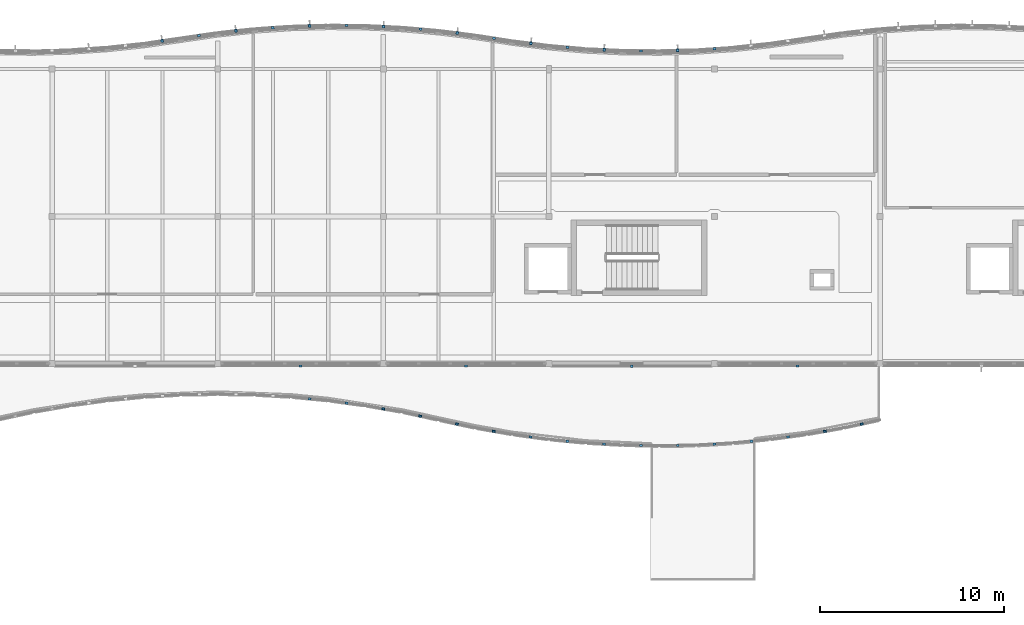
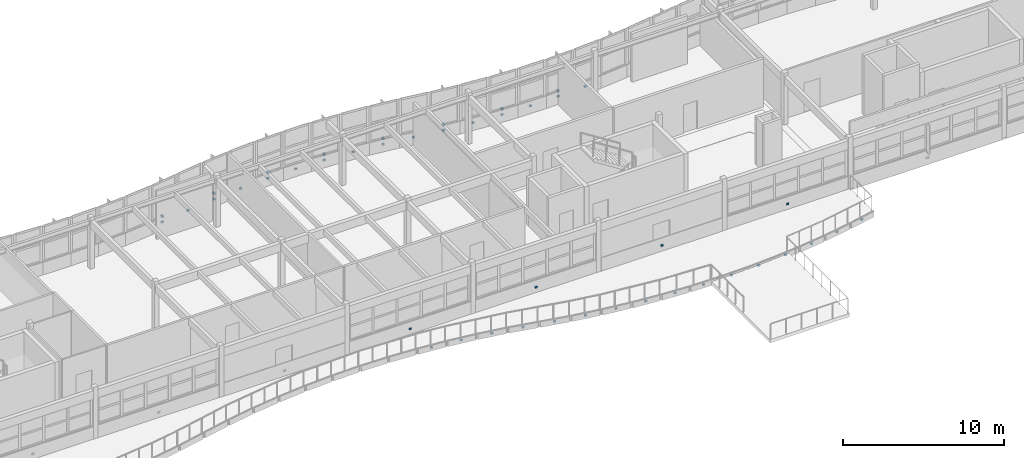
# One storey, part 25 of 33: 44 discrete accessories.
"""IFC4 building model written with IfcOpenShell, lengths in metres."""

from ifc_helpers import new_model, si_unit, direction, frame, origin, origin_2d, place, context, subcontext, project, spatial, rectangle, extrude, material, type_object, element, save


model = new_model("IFC4")

# Units and contexts
model_context = context("Model", 3, precision=1e-05, world=origin(), true_north=direction((0.0, 1.0)))
body_context = subcontext(model_context, "Body", "Model", "MODEL_VIEW")
ifc_project = project(units=[si_unit("LENGTHUNIT", "METRE"), si_unit("AREAUNIT", "SQUARE_METRE"), si_unit("VOLUMEUNIT", "CUBIC_METRE"), si_unit("PLANEANGLEUNIT", "RADIAN"), si_unit("MASSUNIT", "GRAM", prefix="KILO")], contexts=[model_context])

# Site, building, storey
site_placement = place(None, origin())
site = spatial("IfcSite", under=ifc_project, at=site_placement, CompositionType="ELEMENT")
building_placement = place(site_placement, origin())
building = spatial("IfcBuilding", under=site, at=building_placement, Name="Tonlespit Floodbar School", CompositionType="ELEMENT")
storey_placement = place(building_placement, frame((0.0, 0.0, 16.199951171875)))
storey = spatial("IfcBuildingStorey", under=building, at=storey_placement, Name="L04", CompositionType="ELEMENT", Elevation=16.199951171875)

# Discrete accessories
ifc_material = material(Name="Galvanised Steel", Category="steel")
discrete_accessory_type = type_object("IfcDiscreteAccessoryType", Name="Bracket_Facade_S355", PredefinedType="BRACKET", material=ifc_material)
discrete_accessory_1_placement = place(storey_placement, frame((76.981201171875, 121.53271484375, 0.35498046875), z_axis=(0.0, 0.0, 1.0), x_axis=(0.989537627347, 0.144275029245, 0.0)))
element("IfcDiscreteAccessory", 1, at=discrete_accessory_1_placement, inside=storey, type_object=discrete_accessory_type, Name="L04 white band support bracket 0313", PredefinedType="BRACKET", context=body_context, shape_type="SweptSolid", body=[
    extrude(rectangle(XDim=0.159912109375, YDim=0.1201171875, at=origin_2d()), origin(), (0.0, 0.0, 1.0), 0.1201171875),
])
discrete_accessory_2_placement = place(storey_placement, frame((76.979736328125, 121.542724609375, 0.7802734375), z_axis=(0.0, 0.0, 1.0), x_axis=(0.989537627347, 0.144275029245, 0.0)))
element("IfcDiscreteAccessory", 2, at=discrete_accessory_2_placement, inside=storey, type_object=discrete_accessory_type, Name="Solar fin support bracket 082", PredefinedType="BRACKET", context=body_context, shape_type="SweptSolid", body=[
    extrude(rectangle(XDim=0.1201171875, YDim=0.179931640625, at=origin_2d()), origin(), (0.0, 0.0, 1.0), 0.139892578125),
])
for number, where, z_axis, x_axis, name in (
    (3, (78.981201171875, 121.824462890625, 0.35498046875), (0.0, 0.0, 1.0), (0.989537627347, 0.144275029245, 0.0), "L04 white band support bracket 0314"),
    (4, (80.986328125, 122.0771484375, 0.35498046875), (0.0, 0.0, 1.0), (0.99439234017, 0.105753835922, 0.0), "L04 white band support bracket 0315"),
):
    element("IfcDiscreteAccessory", number, at=place(storey_placement, frame(where, z_axis=z_axis, x_axis=x_axis)), inside=storey, type_object=discrete_accessory_type, Name=name, PredefinedType="BRACKET", context=body_context, shape_type="SweptSolid", body=[
        extrude(rectangle(XDim=0.159912109375, YDim=0.1201171875, at=origin_2d()), origin(), (0.0, 0.0, 1.0), 0.1201171875),
    ])
discrete_accessory_3_placement = place(storey_placement, frame((80.985107421875, 122.087158203125, 0.7802734375), z_axis=(0.0, 0.0, 1.0), x_axis=(0.99439234017, 0.105753835922, 0.0)))
element("IfcDiscreteAccessory", 5, at=discrete_accessory_3_placement, inside=storey, type_object=discrete_accessory_type, Name="Solar fin support bracket 083", PredefinedType="BRACKET", context=body_context, shape_type="SweptSolid", body=[
    extrude(rectangle(XDim=0.1201171875, YDim=0.179931640625, at=origin_2d()), origin(), (0.0, 0.0, 1.0), 0.139892578125),
])
for number, where, z_axis, x_axis, name in (
    (6, (82.9912109375, 122.25146484375, 0.35498046875), (0.0, 0.0, 1.0), (0.997729639049, 0.067346621018, 0.0), "L04 white band support bracket 0316"),
    (7, (84.996337890625, 122.34814453125, 0.35498046875), (0.0, 0.0, 1.0), (0.999584110869, 0.02883756748, 0.0), "L04 white band support bracket 0317"),
):
    element("IfcDiscreteAccessory", number, at=place(storey_placement, frame(where, z_axis=z_axis, x_axis=x_axis)), inside=storey, type_object=discrete_accessory_type, Name=name, PredefinedType="BRACKET", context=body_context, shape_type="SweptSolid", body=[
        extrude(rectangle(XDim=0.159912109375, YDim=0.1201171875, at=origin_2d()), origin(), (0.0, 0.0, 1.0), 0.1201171875),
    ])
discrete_accessory_4_placement = place(storey_placement, frame((84.99609375, 122.358154296875, 0.7802734375), z_axis=(0.0, 0.0, 1.0), x_axis=(0.999584110869, 0.02883756748, 0.0)))
element("IfcDiscreteAccessory", 8, at=discrete_accessory_4_placement, inside=storey, type_object=discrete_accessory_type, Name="Solar fin support bracket 084", PredefinedType="BRACKET", context=body_context, shape_type="SweptSolid", body=[
    extrude(rectangle(XDim=0.1201171875, YDim=0.179931640625, at=origin_2d()), origin(), (0.0, 0.0, 1.0), 0.139892578125),
])
for number, where, z_axis, x_axis, name in (
    (9, (87.001220703125, 122.367431640625, 0.35498046875), (0.0, 0.0, 1.0), (0.999953926969, -0.009599163462, 0.0), "L04 white band support bracket 0318"),
    (10, (89.00634765625, 122.3095703125, 0.35498046875), (0.0, 0.0, 1.0), (0.998842769234, -0.048094930587, 0.0), "L04 white band support bracket 0319"),
):
    element("IfcDiscreteAccessory", number, at=place(storey_placement, frame(where, z_axis=z_axis, x_axis=x_axis)), inside=storey, type_object=discrete_accessory_type, Name=name, PredefinedType="BRACKET", context=body_context, shape_type="SweptSolid", body=[
        extrude(rectangle(XDim=0.159912109375, YDim=0.1201171875, at=origin_2d()), origin(), (0.0, 0.0, 1.0), 0.1201171875),
    ])
discrete_accessory_5_placement = place(storey_placement, frame((89.006591796875, 122.319580078125, 0.7802734375), z_axis=(0.0, 0.0, 1.0), x_axis=(0.998842769234, -0.048094930587, 0.0)))
element("IfcDiscreteAccessory", 11, at=discrete_accessory_5_placement, inside=storey, type_object=discrete_accessory_type, Name="Solar fin support bracket 085", PredefinedType="BRACKET", context=body_context, shape_type="SweptSolid", body=[
    extrude(rectangle(XDim=0.1201171875, YDim=0.179931640625, at=origin_2d()), origin(), (0.0, 0.0, 1.0), 0.139892578125),
])
for number, where, z_axis, x_axis, name in (
    (12, (91.01123046875, 122.174072265625, 0.35498046875), (0.0, 0.0, 1.0), (0.996245486492, -0.086573267488, 0.0), "L04 white band support bracket 0320"),
    (13, (93.016357421875, 121.960693359375, 0.35498046875), (0.0, 0.0, 1.0), (0.99215533612, -0.125011155539, 0.0), "L04 white band support bracket 0321"),
):
    element("IfcDiscreteAccessory", number, at=place(storey_placement, frame(where, z_axis=z_axis, x_axis=x_axis)), inside=storey, type_object=discrete_accessory_type, Name=name, PredefinedType="BRACKET", context=body_context, shape_type="SweptSolid", body=[
        extrude(rectangle(XDim=0.159912109375, YDim=0.1201171875, at=origin_2d()), origin(), (0.0, 0.0, 1.0), 0.1201171875),
    ])
discrete_accessory_6_placement = place(storey_placement, frame((93.017578125, 121.970703125, 0.7802734375), z_axis=(0.0, 0.0, 1.0), x_axis=(0.99215533612, -0.125011155539, 0.0)))
element("IfcDiscreteAccessory", 14, at=discrete_accessory_6_placement, inside=storey, type_object=discrete_accessory_type, Name="Solar fin support bracket 086", PredefinedType="BRACKET", context=body_context, shape_type="SweptSolid", body=[
    extrude(rectangle(XDim=0.1201171875, YDim=0.179931640625, at=origin_2d()), origin(), (0.0, 0.0, 1.0), 0.139892578125),
])
for number, where, z_axis, x_axis, name in (
    (15, (95.02001953125, 121.678466796875, 0.35498046875), (0.0, 0.0, 1.0), (0.988094768361, -0.153846445322, 0.0), "L04 white band support bracket 0322"),
    (16, (97.016357421875, 121.397216796875, 0.35498046875), (0.0, 0.0, 1.0), (0.99215533612, -0.125011155539, 0.0), "L04 white band support bracket 0323"),
):
    element("IfcDiscreteAccessory", number, at=place(storey_placement, frame(where, z_axis=z_axis, x_axis=x_axis)), inside=storey, type_object=discrete_accessory_type, Name=name, PredefinedType="BRACKET", context=body_context, shape_type="SweptSolid", body=[
        extrude(rectangle(XDim=0.159912109375, YDim=0.1201171875, at=origin_2d()), origin(), (0.0, 0.0, 1.0), 0.1201171875),
    ])
discrete_accessory_7_placement = place(storey_placement, frame((97.017578125, 121.4072265625, 0.7802734375), z_axis=(0.0, 0.0, 1.0), x_axis=(0.99215533612, -0.125011155539, 0.0)))
element("IfcDiscreteAccessory", 17, at=discrete_accessory_7_placement, inside=storey, type_object=discrete_accessory_type, Name="Solar fin support bracket 087", PredefinedType="BRACKET", context=body_context, shape_type="SweptSolid", body=[
    extrude(rectangle(XDim=0.1201171875, YDim=0.179931640625, at=origin_2d()), origin(), (0.0, 0.0, 1.0), 0.139892578125),
])
for number, where, z_axis, x_axis, name in (
    (18, (99.01123046875, 121.184814453125, 0.35498046875), (0.0, 0.0, 1.0), (0.996245486492, -0.086573267488, 0.0), "L04 white band support bracket 0324"),
    (19, (101.00634765625, 121.05029296875, 0.35498046875), (0.0, 0.0, 1.0), (0.998842769234, -0.048094930587, 0.0), "L04 white band support bracket 0325"),
):
    element("IfcDiscreteAccessory", number, at=place(storey_placement, frame(where, z_axis=z_axis, x_axis=x_axis)), inside=storey, type_object=discrete_accessory_type, Name=name, PredefinedType="BRACKET", context=body_context, shape_type="SweptSolid", body=[
        extrude(rectangle(XDim=0.159912109375, YDim=0.1201171875, at=origin_2d()), origin(), (0.0, 0.0, 1.0), 0.1201171875),
    ])
discrete_accessory_8_placement = place(storey_placement, frame((101.006591796875, 121.060302734375, 0.7802734375), z_axis=(0.0, 0.0, 1.0), x_axis=(0.998842769234, -0.048094930587, 0.0)))
element("IfcDiscreteAccessory", 20, at=discrete_accessory_8_placement, inside=storey, type_object=discrete_accessory_type, Name="Solar fin support bracket 088", PredefinedType="BRACKET", context=body_context, shape_type="SweptSolid", body=[
    extrude(rectangle(XDim=0.1201171875, YDim=0.179931640625, at=origin_2d()), origin(), (0.0, 0.0, 1.0), 0.139892578125),
])
for number, where, z_axis, x_axis, name in (
    (21, (103.001220703125, 120.99267578125, 0.35498046875), (0.0, 0.0, 1.0), (0.999953926969, -0.009599163462, 0.0), "L04 white band support bracket 0326"),
    (22, (104.996337890625, 121.01171875, 0.35498046875), (0.0, 0.0, 1.0), (0.999584110869, 0.02883756748, 0.0), "L04 white band support bracket 0327"),
):
    element("IfcDiscreteAccessory", number, at=place(storey_placement, frame(where, z_axis=z_axis, x_axis=x_axis)), inside=storey, type_object=discrete_accessory_type, Name=name, PredefinedType="BRACKET", context=body_context, shape_type="SweptSolid", body=[
        extrude(rectangle(XDim=0.159912109375, YDim=0.1201171875, at=origin_2d()), origin(), (0.0, 0.0, 1.0), 0.1201171875),
    ])
discrete_accessory_9_placement = place(storey_placement, frame((104.99609375, 121.021728515625, 0.7802734375), z_axis=(0.0, 0.0, 1.0), x_axis=(0.999584110869, 0.02883756748, 0.0)))
element("IfcDiscreteAccessory", 23, at=discrete_accessory_9_placement, inside=storey, type_object=discrete_accessory_type, Name="Solar fin support bracket 089", PredefinedType="BRACKET", context=body_context, shape_type="SweptSolid", body=[
    extrude(rectangle(XDim=0.1201171875, YDim=0.179931640625, at=origin_2d()), origin(), (0.0, 0.0, 1.0), 0.139892578125),
])
for number, where, z_axis, x_axis, name in (
    (24, (106.9912109375, 121.10791015625, 0.35498046875), (0.0, 0.0, 1.0), (0.997729639049, 0.067346621018, 0.0), "L04 white band support bracket 0328"),
    (25, (111.5, 103.8701171875, 0.35498046875), (0.0, 0.0, 1.0), (-1.0, 0.0, 0.0), "L04 white band support bracket 0333"),
    (26, (102.5, 103.85009765625, 0.3798828125), (0.0, 0.0, 1.0), (-1.0, 0.0, 0.0), "L04 white band support bracket 0334"),
    (27, (93.5, 103.8701171875, 0.35498046875), (0.0, 0.0, 1.0), (-1.0, 0.0, 0.0), "L04 white band support bracket 0335"),
    (28, (84.5, 103.8701171875, 0.35498046875), (0.0, 0.0, 1.0), (-1.0, 0.0, 0.0), "L04 white band support bracket 0336"),
    (29, (85.0, 102.0830078125, -0.14990234375), (0.0, 0.0, 1.0), (0.995361841764, -0.096201891669, 0.0), "L04 white band support bracket 0364"),
    (30, (87.0, 101.850341796875, -0.14990234375), (0.0, 0.0, 1.0), (0.990898113281, -0.13461400037, 0.0), "L04 white band support bracket 0365"),
    (31, (89.0, 101.538818359375, -0.14990234375), (0.0, 0.0, 1.0), (0.984904884962, -0.17309641122, 0.0), "L04 white band support bracket 0366"),
    (32, (91.0, 101.146484375, -0.14990234375), (0.0, 0.0, 1.0), (0.977356843161, -0.21159773422, 0.0), "L04 white band support bracket 0367"),
    (33, (93.0, 100.71337890625, -0.14990234375), (0.0, 0.0, 1.0), (0.977356843161, -0.21159773422, 0.0), "L04 white band support bracket 0368"),
    (34, (95.0, 100.3212890625, -0.14990234375), (0.0, 0.0, 1.0), (0.984904884962, -0.17309641122, 0.0), "L04 white band support bracket 0369"),
    (35, (97.0, 100.009765625, -0.14990234375), (0.0, 0.0, 1.0), (0.990898113281, -0.13461400037, 0.0), "L04 white band support bracket 0370"),
    (36, (99.0, 99.777099609375, -0.14990234375), (0.0, 0.0, 1.0), (0.995361841764, -0.096201891669, 0.0), "L04 white band support bracket 0371"),
    (37, (101.0, 99.622802734375, -0.14990234375), (0.0, 0.0, 1.0), (0.998333769428, -0.057703421212, 0.0), "L04 white band support bracket 0372"),
    (38, (103.0, 99.545654296875, -0.14990234375), (0.0, 0.0, 1.0), (0.999814772764, -0.01924630259, 0.0), "L04 white band support bracket 0373"),
    (39, (105.0, 99.545654296875, -0.14990234375), (0.0, 0.0, 1.0), (0.999814772764, 0.01924630259, 0.0), "L04 white band support bracket 0374"),
    (40, (107.0, 99.622802734375, -0.14990234375), (0.0, 0.0, 1.0), (0.998333769428, 0.057703421212, 0.0), "L04 white band support bracket 0375"),
    (41, (109.0, 99.777099609375, -0.14990234375), (0.0, 0.0, 1.0), (0.995361841764, 0.096201891669, 0.0), "L04 white band support bracket 0376"),
    (42, (111.0, 100.009765625, -0.14990234375), (0.0, 0.0, 1.0), (0.990898113281, 0.13461400037, 0.0), "L04 white band support bracket 0377"),
    (43, (113.0, 100.3212890625, -0.14990234375), (0.0, 0.0, 1.0), (0.984904884962, 0.17309641122, 0.0), "L04 white band support bracket 0378"),
    (44, (115.0, 100.71337890625, -0.14990234375), (0.0, 0.0, 1.0), (0.977356843161, 0.21159773422, 0.0), "L04 white band support bracket 0379"),
):
    element("IfcDiscreteAccessory", number, at=place(storey_placement, frame(where, z_axis=z_axis, x_axis=x_axis)), inside=storey, type_object=discrete_accessory_type, Name=name, PredefinedType="BRACKET", context=body_context, shape_type="SweptSolid", body=[
        extrude(rectangle(XDim=0.159912109375, YDim=0.1201171875, at=origin_2d()), origin(), (0.0, 0.0, 1.0), 0.1201171875),
    ])

save(model, "model.ifc")
